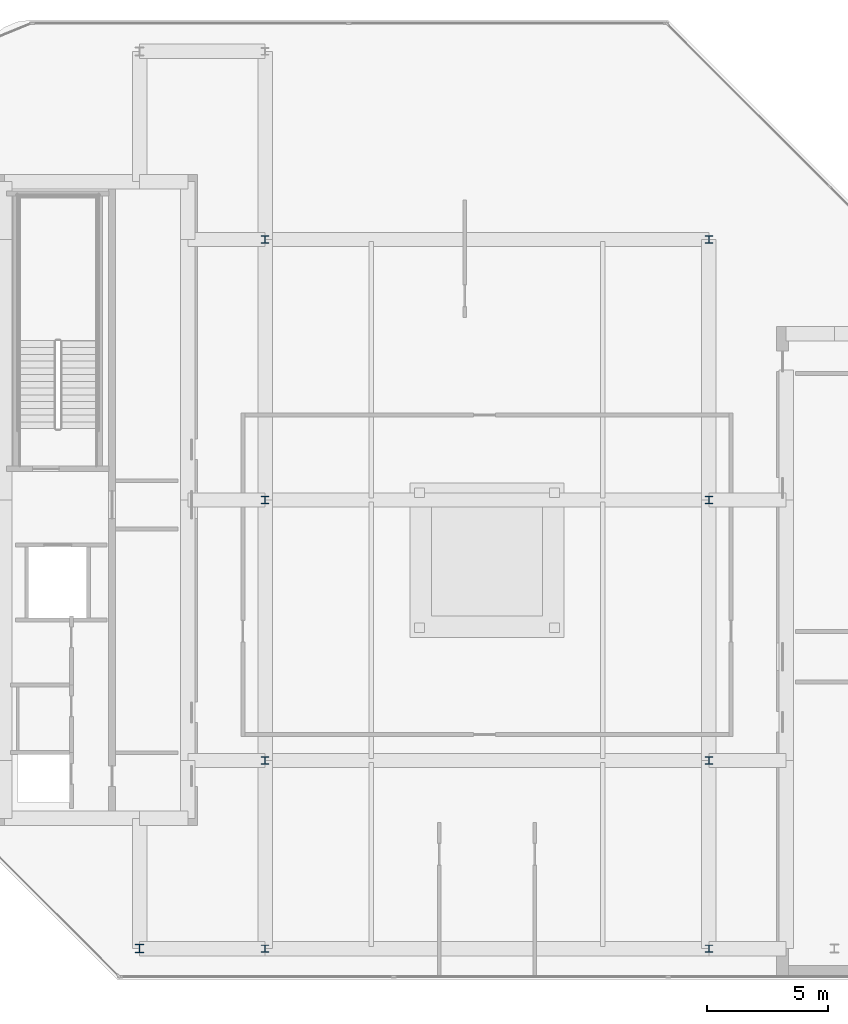
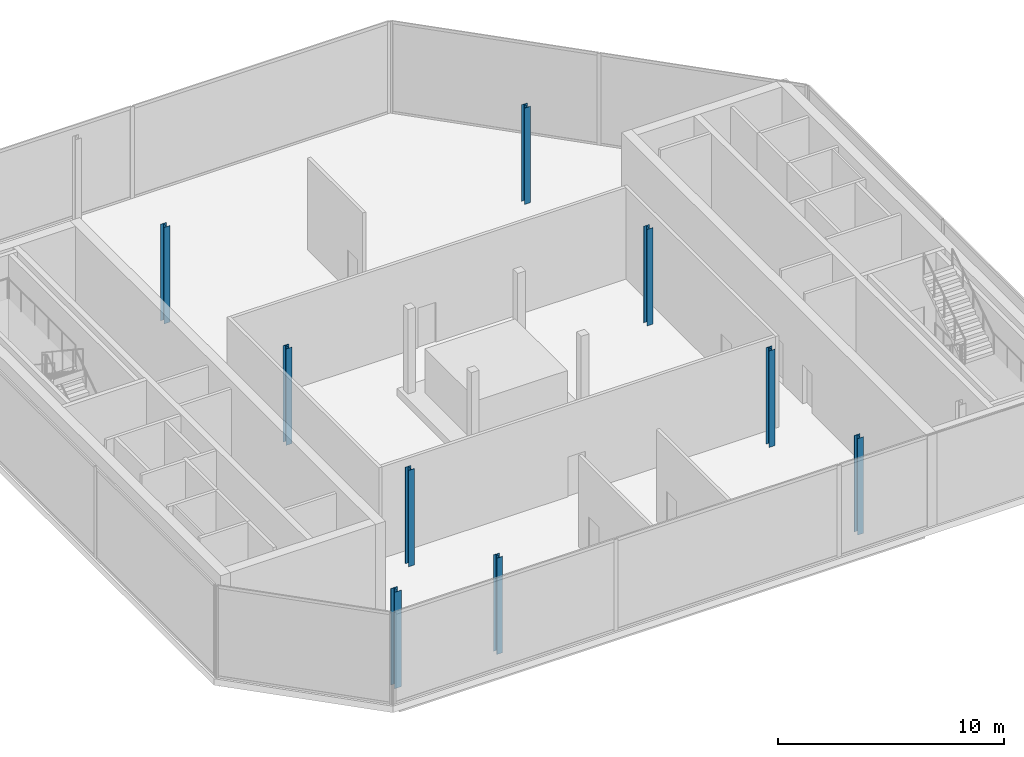
# One storey, part 1 of 14: 9 columns.
"""IFC4 building model written with IfcOpenShell, lengths in metres."""

from ifc_helpers import new_model, si_unit, direction, frame, origin, origin_2d, place, context, subcontext, project, spatial, i_section, extrude, material, material_profile, profile_set, type_object, element, save


model = new_model("IFC4")

# Units and contexts
model_context = context("Model", 3, precision=1e-05, world=origin(), true_north=direction((0.0, 1.0)))
body_context = subcontext(model_context, "Body", "Model", "MODEL_VIEW")
ifc_project = project(units=[si_unit("LENGTHUNIT", "METRE"), si_unit("AREAUNIT", "SQUARE_METRE"), si_unit("VOLUMEUNIT", "CUBIC_METRE"), si_unit("PLANEANGLEUNIT", "RADIAN"), si_unit("MASSUNIT", "GRAM", prefix="KILO")], contexts=[model_context])

# Site, building, storey
site_placement = place(None, origin())
site = spatial("IfcSite", under=ifc_project, at=site_placement, CompositionType="ELEMENT")
building_placement = place(site_placement, origin())
building = spatial("IfcBuilding", under=site, at=building_placement, Name="Khairoan Windgate Tower", CompositionType="ELEMENT")
storey_placement = place(building_placement, frame((0.0, 0.0, 325.199951171875)))
storey = spatial("IfcBuildingStorey", under=building, at=storey_placement, Name="L78", CompositionType="ELEMENT", Elevation=325.199951171875)

# Columns
ifc_material_1 = material(Name="Steel S355", Category="steel")
ifc_material_profile_1 = material_profile(ifc_material_1, i_section(OverallWidth=0.35009765625, OverallDepth=0.35009765625, WebThickness=0.011962890625, FlangeThickness=0.01904296875, FilletRadius=0.02001953125, at=origin_2d()))
ifc_profile_set_1 = profile_set([ifc_material_profile_1], Name="Steel S355")
column_type_1 = type_object("IfcColumnType", Name="Steel Column SC5 H350x350x12x19", PredefinedType="COLUMN", material=ifc_profile_set_1)
column_placement = place(storey_placement, frame((-14.39990234375, -18.60009765625, 0.0), z_axis=(0.0, 0.0, 1.0), x_axis=(1.0, 0.0, 0.0)))
element("IfcColumn", 1, at=column_placement, inside=storey, type_object=column_type_1, Name="Column L78-10", PredefinedType="COLUMN", context=body_context, shape_type="SweptSolid", body=[
    extrude(i_section(OverallWidth=0.35009765625, OverallDepth=0.35009765625, WebThickness=0.011962890625, FlangeThickness=0.01904296875, FilletRadius=0.02001953125, at=origin_2d()), origin(), (0.0, 0.0, 1.0), 5.199951171875),
])
ifc_material_2 = material(Name="Steel S355", Category="steel")
ifc_material_profile_2 = material_profile(ifc_material_2, i_section(OverallWidth=0.300048828125, OverallDepth=0.300048828125, WebThickness=0.010009765625, FlangeThickness=0.014892578125, FilletRadius=0.01806640625, at=origin_2d()))
ifc_profile_set_2 = profile_set([ifc_material_profile_2], Name="Steel S355")
column_type_2 = type_object("IfcColumnType", Name="Steel Column SC6 H300x300x10x15", PredefinedType="COLUMN", material=ifc_profile_set_2)
for number, where, z_axis, x_axis, name in (
    (2, (-9.199951171875, -18.60009765625, 0.0), (0.0, 0.0, 1.0), (1.0, 0.0, 0.0), "Column L78-01"),
    (3, (-9.199951171875, -10.800048828125, 0.0), (0.0, 0.0, 1.0), (1.0, 0.0, 0.0), "Column L78-02"),
    (4, (-9.199951171875, 0.0, 0.0), (0.0, 0.0, 1.0), (1.0, 0.0, 0.0), "Column L78-03"),
    (5, (-9.199951171875, 10.800048828125, 0.0), (0.0, 0.0, 1.0), (1.0, 0.0, 0.0), "Column L78-04"),
    (6, (9.199951171875, -18.60009765625, 0.0), (0.0, 0.0, 1.0), (1.0, 0.0, 0.0), "Column L78-06"),
    (7, (9.199951171875, -10.800048828125, 0.0), (0.0, 0.0, 1.0), (1.0, 0.0, 0.0), "Column L78-07"),
    (8, (9.199951171875, 0.0, 0.0), (0.0, 0.0, 1.0), (1.0, 0.0, 0.0), "Column L78-08"),
    (9, (9.199951171875, 10.800048828125, 0.0), (0.0, 0.0, 1.0), (1.0, 0.0, 0.0), "Column L78-09"),
):
    element("IfcColumn", number, at=place(storey_placement, frame(where, z_axis=z_axis, x_axis=x_axis)), inside=storey, type_object=column_type_2, Name=name, PredefinedType="COLUMN", context=body_context, shape_type="SweptSolid", body=[
        extrude(i_section(OverallWidth=0.300048828125, OverallDepth=0.300048828125, WebThickness=0.010009765625, FlangeThickness=0.014892578125, FilletRadius=0.01806640625, at=origin_2d()), origin(), (0.0, 0.0, 1.0), 5.199951171875),
    ])

save(model, "model.ifc")
